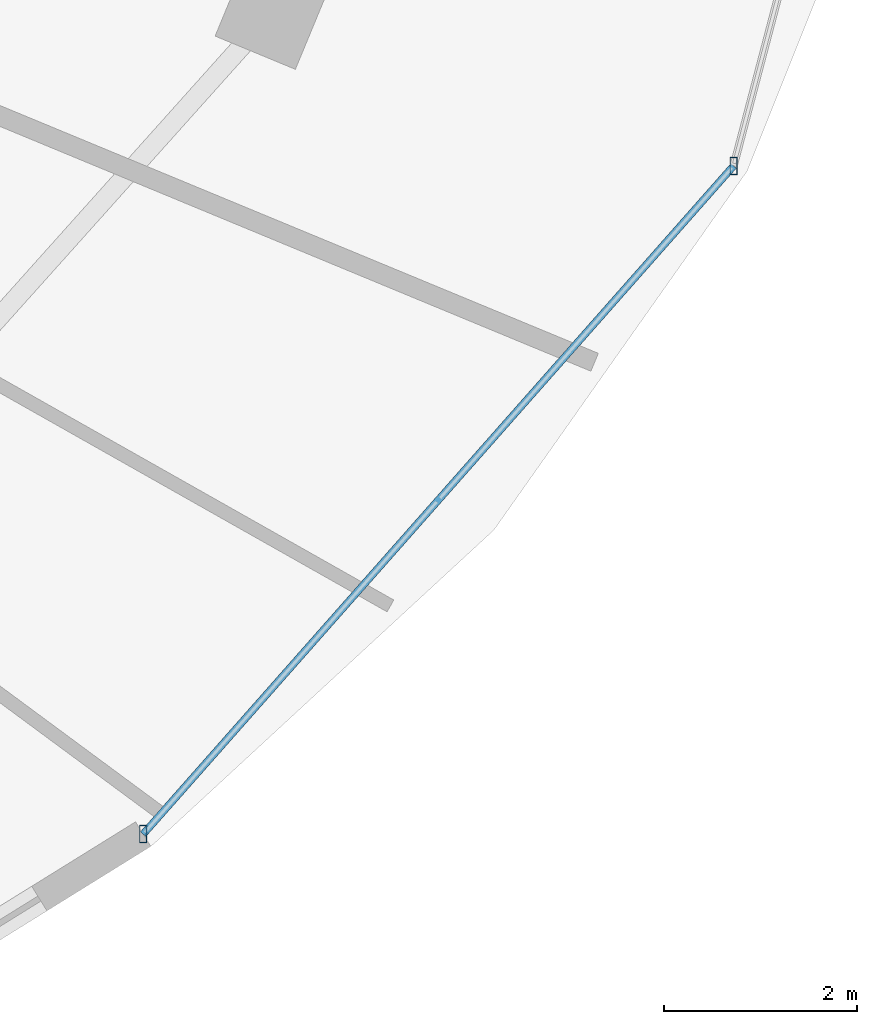
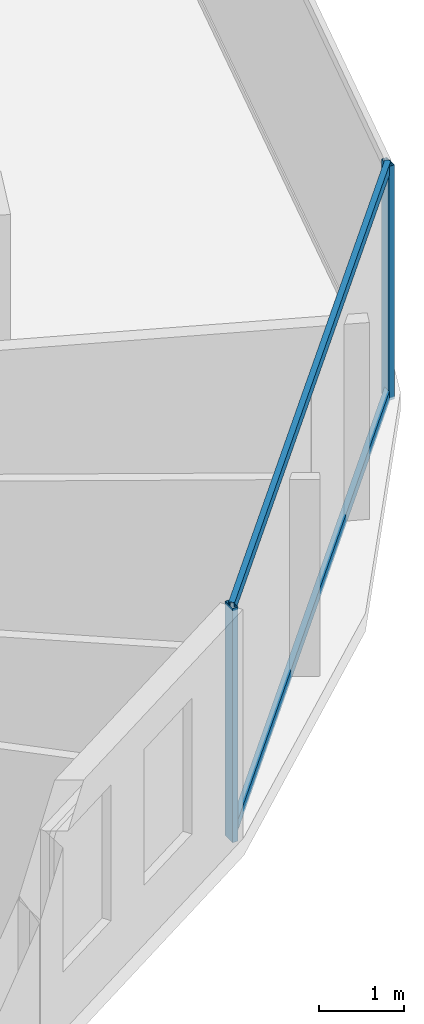
# One storey, part 13 of 32: 4 members, 1 element without a shape of its own.
"""IFC4 building model written with IfcOpenShell, lengths in metres."""

from ifc_helpers import new_model, si_unit, direction, frame, origin, origin_2d, place, context, subcontext, project, spatial, hollow_rectangle, extrude, material, material_profile, profile_set, type_object, element, aggregate, save


model = new_model("IFC4")

# Units and contexts
model_context = context("Model", 3, precision=1e-05, world=origin(), true_north=direction((0.0, 1.0)))
body_context = subcontext(model_context, "Body", "Model", "MODEL_VIEW")
ifc_project = project(units=[si_unit("LENGTHUNIT", "METRE"), si_unit("AREAUNIT", "SQUARE_METRE"), si_unit("VOLUMEUNIT", "CUBIC_METRE"), si_unit("PLANEANGLEUNIT", "RADIAN"), si_unit("MASSUNIT", "GRAM", prefix="KILO")], contexts=[model_context])

# Site, building, storey
site_placement = place(None, origin())
site = spatial("IfcSite", under=ifc_project, at=site_placement, CompositionType="ELEMENT")
building_placement = place(site_placement, origin())
building = spatial("IfcBuilding", under=site, at=building_placement, Name="Vorneva Point Tower", CompositionType="ELEMENT")
storey_placement = place(building_placement, frame((0.0, 0.0, 207.199951171875)))
storey = spatial("IfcBuildingStorey", under=building, at=storey_placement, Name="L56", CompositionType="ELEMENT", Elevation=207.199951171875)

# Curtain wall, members
ifc_material = material(Name="Pale anodised aluminium", Category="aluminium")
curtain_wall_type = type_object("IfcCurtainWallType", Name="CW-RES-SYS", PredefinedType="NOTDEFINED", material=ifc_material)
curtain_wall_placement = place(storey_placement, origin())
curtain_wall = element("IfcCurtainWall", 1, at=curtain_wall_placement, inside=storey, type_object=curtain_wall_type, Name="L56 Unitised Curtain Wall CW-L56-R04", PredefinedType="NOTDEFINED")
ifc_material_profile_1 = material_profile(ifc_material, hollow_rectangle(XDim=0.074951171875, YDim=0.179931640625, WallThickness=0.00390625, at=origin_2d()), Name="AL-MUL 180x75x4")
ifc_profile_set_1 = profile_set([ifc_material_profile_1], Name="Pale anodised aluminium")
member_type_1 = type_object("IfcMemberType", Name="CW-MUL-180", PredefinedType="MULLION", material=ifc_profile_set_1)
member_1_placement = place(storey_placement, frame((57.961669921875, 10.9033203125, -0.0400390625), z_axis=(0.0, 0.0, 1.0), x_axis=(1.0, 0.0, 0.0)))
member_1 = element("IfcMember", 2, at=member_1_placement, type_object=member_type_1, Name="CW-L56-R04 Mullion 01", PredefinedType="MULLION", context=body_context, shape_type="SweptSolid", body=[
    extrude(hollow_rectangle(XDim=0.074951171875, YDim=0.179931640625, WallThickness=0.00390625, at=origin_2d()), origin(), (0.0, 0.0, 1.0), 3.360107421875),
])
member_2_placement = place(storey_placement, frame((64.0810546875, 17.82958984375, -0.0400390625), z_axis=(0.0, 0.0, 1.0), x_axis=(1.0, 0.0, 0.0)))
member_2 = element("IfcMember", 3, at=member_2_placement, type_object=member_type_1, Name="CW-L56-R04 Mullion 02", PredefinedType="MULLION", context=body_context, shape_type="SweptSolid", body=[
    extrude(hollow_rectangle(XDim=0.074951171875, YDim=0.179931640625, WallThickness=0.00390625, at=origin_2d()), origin(), (0.0, 0.0, 1.0), 3.360107421875),
])
ifc_material_profile_2 = material_profile(ifc_material, hollow_rectangle(XDim=0.074951171875, YDim=0.14990234375, WallThickness=0.00390625, at=origin_2d()), Name="AL-TRN 150x75x4")
ifc_profile_set_2 = profile_set([ifc_material_profile_2], Name="Pale anodised aluminium")
member_type_2 = type_object("IfcMemberType", Name="CW-TRN-150", PredefinedType="USERDEFINED", material=ifc_profile_set_2)
member_3_placement = place(storey_placement, frame((57.961669921875, 10.9033203125, 0.02001953125), z_axis=(0.662106383869, 0.749409858782, 0.0), x_axis=(-0.749409858782, 0.662106383869, 0.0)))
member_3 = element("IfcMember", 4, at=member_3_placement, type_object=member_type_2, Name="CW-L56-R04 Transom 01.1", ObjectType="TRANSOM", PredefinedType="USERDEFINED", context=body_context, shape_type="SweptSolid", body=[
    extrude(hollow_rectangle(XDim=0.074951171875, YDim=0.14990234375, WallThickness=0.00390625, at=origin_2d()), origin(), (0.0, 0.0, 1.0), 9.2421875),
])
member_4_placement = place(storey_placement, frame((57.961669921875, 10.9033203125, 3.27001953125), z_axis=(0.662106383869, 0.749409858782, 0.0), x_axis=(-0.749409858782, 0.662106383869, 0.0)))
member_4 = element("IfcMember", 5, at=member_4_placement, type_object=member_type_2, Name="CW-L56-R04 Transom 01.2", ObjectType="TRANSOM", PredefinedType="USERDEFINED", context=body_context, shape_type="SweptSolid", body=[
    extrude(hollow_rectangle(XDim=0.074951171875, YDim=0.14990234375, WallThickness=0.00390625, at=origin_2d()), origin(), (0.0, 0.0, 1.0), 9.2421875),
])
aggregate(curtain_wall, [member_1, member_2, member_3, member_4])

save(model, "model.ifc")
